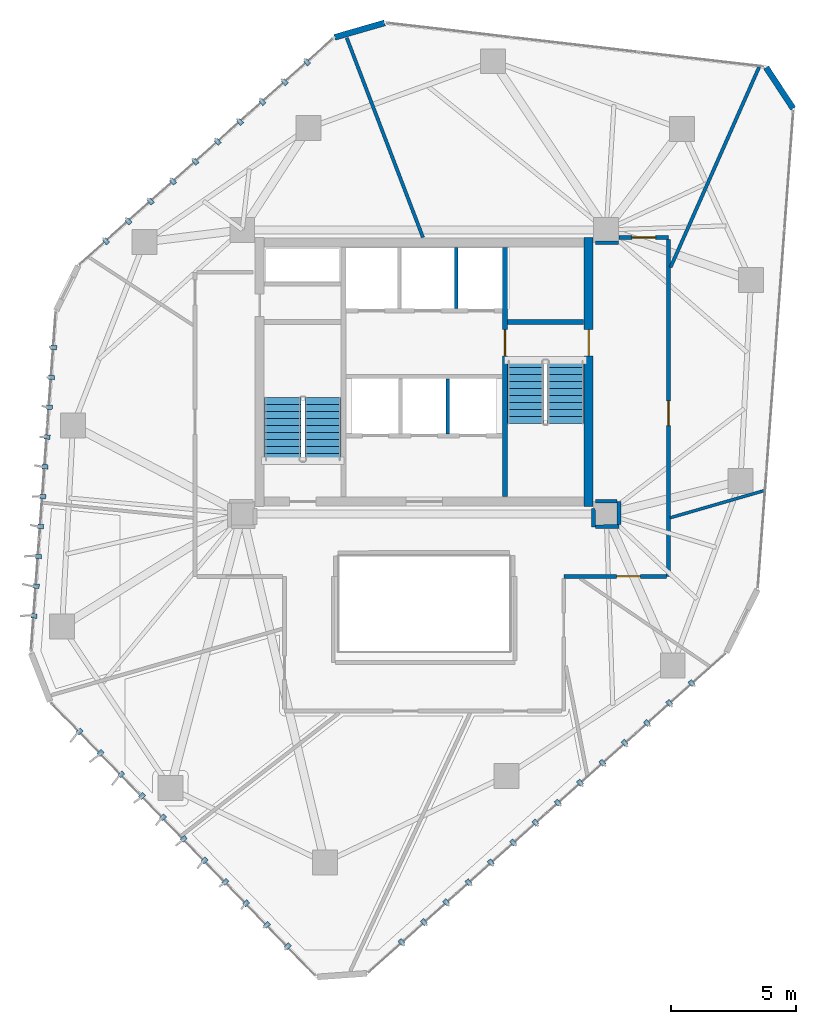
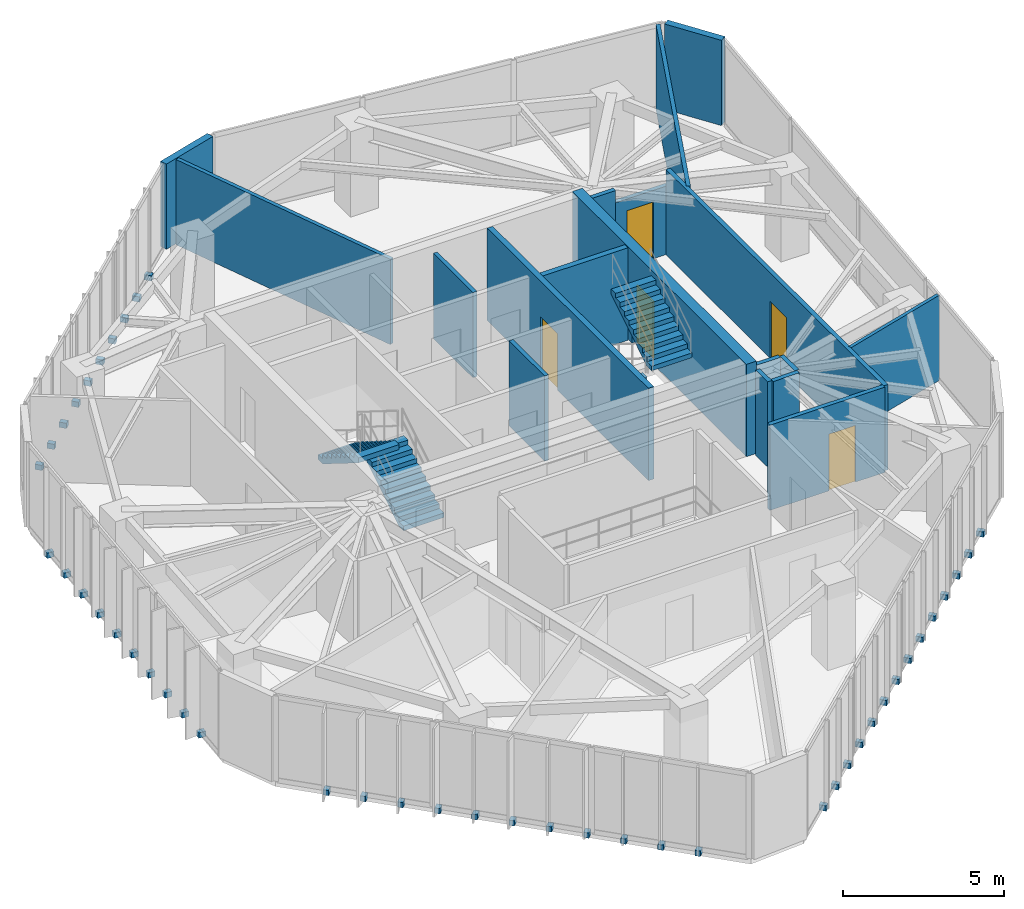
# One storey, part 17 of 19: 45 discrete accessories, 18 walls, 5 doors, 4 stair flights, 5 openings, 2 elements without a shape of their own.
"""IFC4 building model written with IfcOpenShell, lengths in metres."""

from ifc_helpers import new_model, si_unit, direction, frame, frame_2d, origin, origin_2d, place, context, subcontext, project, spatial, polyline, rectangle, outline, extrude, source, transform, mapped, material, layer, layer_set, type_object, type_shapes, element, fill, aggregate, save


model = new_model("IFC4")

# Units and contexts
model_context = context("Model", 3, precision=1e-05, world=origin(), true_north=direction((0.0, 1.0)))
body_context = subcontext(model_context, "Body", "Model", "MODEL_VIEW")
ifc_project = project(units=[si_unit("LENGTHUNIT", "METRE"), si_unit("AREAUNIT", "SQUARE_METRE"), si_unit("VOLUMEUNIT", "CUBIC_METRE"), si_unit("PLANEANGLEUNIT", "RADIAN"), si_unit("MASSUNIT", "GRAM", prefix="KILO")], contexts=[model_context])

# Site, building, storey
site_placement = place(None, origin())
site = spatial("IfcSite", under=ifc_project, at=site_placement, CompositionType="ELEMENT")
building_placement = place(site_placement, origin())
building = spatial("IfcBuilding", under=site, at=building_placement, Name="Talar Marvaseh", CompositionType="ELEMENT")
storey_placement = place(building_placement, frame((0.0, 0.0, 222.199951171875)))
storey = spatial("IfcBuildingStorey", under=building, at=storey_placement, Name="L58", CompositionType="ELEMENT", Elevation=222.199951171875)

# Walls
ifc_material_1 = material(Name="Precast concrete C45/55", Category="concrete")
ifc_layer_1 = layer(ifc_material_1, 0.239990234375)
ifc_layer_set_1 = layer_set([ifc_layer_1], Name="Precast concrete C45/55")
wall_type_1 = type_object("IfcWallType", Name="Chamfered Hexagonal Corner Pier Wall Z3 240", PredefinedType="SOLIDWALL", material=ifc_layer_set_1)
wall_1_placement = place(storey_placement, frame((22.407958984375, 44.62646484375, 0.0), z_axis=(0.0, 0.0, 1.0), x_axis=(0.960654593634, 0.277745840165, 0.0)))
element("IfcWall", 1, at=wall_1_placement, inside=storey, type_object=wall_type_1, Name="L58 Chamfered Corner Limestone Pier 4", PredefinedType="SOLIDWALL", context=body_context, shape_type="SweptSolid", body=[
    extrude(rectangle(XDim=2.088623046875, YDim=0.239990234375, at=frame_2d((1.04443359375, 0.0))), origin(), (0.0, 0.0, 1.0), 3.22998046875),
])
wall_2_placement = place(storey_placement, frame((39.718505859375, 43.419921875, 0.0), z_axis=(0.0, 0.0, 1.0), x_axis=(0.549419249046, -0.835546820219, 0.0)))
element("IfcWall", 2, at=wall_2_placement, inside=storey, type_object=wall_type_1, Name="L58 Chamfered Corner Limestone Pier 5", PredefinedType="SOLIDWALL", context=body_context, shape_type="SweptSolid", body=[
    extrude(rectangle(XDim=1.977783203125, YDim=0.239990234375, at=frame_2d((0.98876953125, 0.0))), origin(), (0.0, 0.0, 1.0), 3.22998046875),
])

# Wall, opening, door
ifc_material_2 = material(Name="Gypsum Board Partition Assembly")
ifc_layer_2 = layer(ifc_material_2, 0.155029296875)
ifc_layer_set_2 = layer_set([ifc_layer_2], Name="Gypsum Board Partition Assembly")
wall_type_2 = type_object("IfcWallType", Name="Corridor Fire-Rated Acoustic Partition 155", PredefinedType="PARTITIONING", material=ifc_layer_set_2)
wall_3_placement = place(storey_placement, frame((33.81494140625, 36.60009765625, 0.0), z_axis=(0.0, 0.0, 1.0), x_axis=(1.0, 0.0, 0.0)))
wall_3 = element("IfcWall", 3, at=wall_3_placement, inside=storey, type_object=wall_type_2, Name="L58 Interior Partition Wall", PredefinedType="PARTITIONING", context=body_context, shape_type="SweptSolid", body=[
    extrude(rectangle(XDim=1.985107421875, YDim=0.155029296875, at=frame_2d((0.99267578125, 0.0))), origin(), (0.0, 0.0, 1.0), 2.589111328125),
])
opening_1_placement = place(wall_3_placement, frame((0.517578125, 0.0, 0.0)))
opening_1 = element("IfcOpeningElement", 4, at=opening_1_placement, cuts=wall_3, Name="Opening DR-WC095", PredefinedType="OPENING", context=body_context, shape_type="SweptSolid", body=[
    extrude(rectangle(XDim=0.949951171875, YDim=2.14990234375, at=frame_2d((0.47509765625, 1.074951171875))), frame((0.0, 0.08740234375, 0.0), z_axis=(0.0, -1.0, 0.0), x_axis=(1.0, 0.0, 0.0)), (0.0, 0.0, 1.0), 0.175048828125),
])
ifc_material_3 = material(Name="Acoustic Engineered Oak Timber", Category="wood")
door_type_1 = type_object("IfcDoorType", Name="Washroom and Service Room Door 950x2150", OperationType="NOTDEFINED", PredefinedType="DOOR", material=ifc_material_3)
shared_shape_1 = source(origin(), body_context, "Body", "SweptSolid", [
    extrude(rectangle(XDim=0.949951171875, YDim=2.14990234375, at=frame_2d((0.47509765625, 1.074951171875))), frame((0.0, 0.02490234375, 0.0), z_axis=(0.0, -1.0, 0.0), x_axis=(1.0, 0.0, 0.0)), (0.0, 0.0, 1.0), 0.050048828125),
])
type_shapes(door_type_1, [shared_shape_1])
door_1_placement = place(opening_1_placement, origin())
door_1 = element("IfcDoor", 5, at=door_1_placement, inside=storey, type_object=door_type_1, Name="L58 Manuscript Folio Archive Room Door", OperationType="SINGLE_SWING_RIGHT", OverallHeight=2.14990234375, OverallWidth=0.949951171875, PredefinedType="DOOR", context=body_context, shape_type="MappedRepresentation", body=[
    mapped(shared_shape_1, transform((0.0, 0.0, 0.0), x_axis=(1.0, 0.0, 0.0), y_axis=(0.0, 1.0, 0.0), z_axis=(0.0, 0.0, 1.0), scale=1.0)),
])
fill(opening_1, door_1)

wall_4_placement = place(storey_placement, frame((35.800048828125, 36.5166015625, 0.0), z_axis=(0.0, 0.0, 1.0), x_axis=(0.0, -1.0, 0.0)))
wall_4 = element("IfcWall", 6, at=wall_4_placement, inside=storey, type_object=wall_type_2, Name="L58 Interior Partition Wall", PredefinedType="PARTITIONING", context=body_context, shape_type="SweptSolid", body=[
    extrude(rectangle(XDim=13.5166015625, YDim=0.155029296875, at=frame_2d((6.75830078125, 0.0))), origin(), (0.0, 0.0, 1.0), 3.22998046875),
])
opening_2_placement = place(wall_4_placement, frame((6.4716796875, 0.0, 0.0)))
opening_2 = element("IfcOpeningElement", 7, at=opening_2_placement, cuts=wall_4, Name="Opening DR-RM100", PredefinedType="OPENING", context=body_context, shape_type="SweptSolid", body=[
    extrude(rectangle(XDim=1.0, YDim=2.14990234375, at=frame_2d((0.5, 1.074951171875))), frame((0.0, 0.08740234375, 0.0), z_axis=(0.0, -1.0, 0.0), x_axis=(1.0, 0.0, 0.0)), (0.0, 0.0, 1.0), 0.175048828125),
])
door_type_2 = type_object("IfcDoorType", Name="Corridor Fire-Rated Gallery Door 1000x2150", OperationType="NOTDEFINED", PredefinedType="DOOR", material=ifc_material_3)
shared_shape_2 = source(origin(), body_context, "Body", "SweptSolid", [
    extrude(rectangle(XDim=1.0, YDim=2.14990234375, at=frame_2d((0.5, 1.074951171875))), frame((0.0, 0.02490234375, 0.0), z_axis=(0.0, -1.0, 0.0), x_axis=(1.0, 0.0, 0.0)), (0.0, 0.0, 1.0), 0.050048828125),
])
type_shapes(door_type_2, [shared_shape_2])
door_2_placement = place(opening_2_placement, origin())
door_2 = element("IfcDoor", 8, at=door_2_placement, inside=storey, type_object=door_type_2, Name="L58 Scholars' Registration Reception Door", OperationType="SINGLE_SWING_LEFT", OverallHeight=2.14990234375, OverallWidth=1.0, PredefinedType="DOOR", context=body_context, shape_type="MappedRepresentation", body=[
    mapped(shared_shape_2, transform((0.0, 0.0, 0.0), x_axis=(1.0, 0.0, 0.0), y_axis=(0.0, 1.0, 0.0), z_axis=(0.0, 0.0, 1.0), scale=1.0)),
])
fill(opening_2, door_2)

wall_5_placement = place(storey_placement, frame((35.716552734375, 23.0, 0.0), z_axis=(0.0, 0.0, 1.0), x_axis=(-1.0, 0.0, 0.0)))
wall_5 = element("IfcWall", 9, at=wall_5_placement, inside=storey, type_object=wall_type_2, Name="L58 Interior Partition Wall", PredefinedType="PARTITIONING", context=body_context, shape_type="SweptSolid", body=[
    extrude(rectangle(XDim=4.116455078125, YDim=0.155029296875, at=frame_2d((2.05810546875, 0.0))), origin(), (0.0, 0.0, 1.0), 3.22998046875),
])
opening_3_placement = place(wall_5_placement, frame((1.04296875, 0.0, 0.0)))
opening_3 = element("IfcOpeningElement", 10, at=opening_3_placement, cuts=wall_5, Name="Opening DR-WC095", PredefinedType="OPENING", context=body_context, shape_type="SweptSolid", body=[
    extrude(rectangle(XDim=0.949951171875, YDim=2.14990234375, at=frame_2d((0.47509765625, 1.074951171875))), frame((0.0, 0.08740234375, 0.0), z_axis=(0.0, -1.0, 0.0), x_axis=(1.0, 0.0, 0.0)), (0.0, 0.0, 1.0), 0.175048828125),
])
door_3_placement = place(opening_3_placement, origin())
door_3 = element("IfcDoor", 11, at=door_3_placement, inside=storey, type_object=door_type_1, Name="L58 Accessible WC Door", OperationType="SINGLE_SWING_RIGHT", OverallHeight=2.14990234375, OverallWidth=0.949951171875, PredefinedType="DOOR", context=body_context, shape_type="MappedRepresentation", body=[
    mapped(shared_shape_1, transform((0.0, 0.0, 0.0), x_axis=(1.0, 0.0, 0.0), y_axis=(0.0, 1.0, 0.0), z_axis=(0.0, 0.0, 1.0), scale=1.0)),
])
fill(opening_3, door_3)

# Walls
wall_6_placement = place(storey_placement, frame((32.784912109375, 25.72998046875, 0.0), z_axis=(0.0, 0.0, 1.0), x_axis=(0.007570553288, -0.999971342951, 0.0)))
element("IfcWall", 12, at=wall_6_placement, inside=storey, type_object=wall_type_2, Name="L58 Interior Partition Wall", PredefinedType="PARTITIONING", context=body_context, shape_type="SweptSolid", body=[
    extrude(rectangle(XDim=0.74169921875, YDim=0.155029296875, at=frame_2d((0.370849609375, 0.0))), origin(), (0.0, 0.0, 1.0), 3.22998046875),
])
wall_7_placement = place(storey_placement, frame((32.8740234375, 24.9892578125, 0.0), z_axis=(0.0, 0.0, 1.0), x_axis=(0.999934835738, 0.01141596595, 0.0)))
element("IfcWall", 13, at=wall_7_placement, inside=storey, type_object=wall_type_2, Name="L58 Interior Partition Wall", PredefinedType="PARTITIONING", context=body_context, shape_type="SweptSolid", body=[
    extrude(rectangle(XDim=0.94091796875, YDim=0.155029296875, at=frame_2d((0.470458984375, 0.0))), origin(), (0.0, 0.0, 1.0), 3.22998046875),
])
wall_8_placement = place(storey_placement, frame((33.814697265625, 25.08349609375, 0.0), z_axis=(0.0, 0.0, 1.0), x_axis=(-0.004477173984, 0.999989977406, 0.0)))
element("IfcWall", 14, at=wall_8_placement, inside=storey, type_object=wall_type_2, Name="L58 Interior Partition Wall", PredefinedType="PARTITIONING", context=body_context, shape_type="SweptSolid", body=[
    extrude(rectangle(XDim=0.927001953125, YDim=0.155029296875, at=frame_2d((0.46337890625, 0.0))), origin(), (0.0, 0.0, 1.0), 3.22998046875),
])
wall_9_placement = place(storey_placement, frame((33.72705078125, 26.010986328125, 0.0), z_axis=(0.0, 0.0, 1.0), x_axis=(-0.999990868706, 0.004273465251, 0.0)))
element("IfcWall", 15, at=wall_9_placement, inside=storey, type_object=wall_type_2, Name="L58 Interior Partition Wall", PredefinedType="PARTITIONING", context=body_context, shape_type="SweptSolid", body=[
    extrude(rectangle(XDim=0.85693359375, YDim=0.155029296875, at=frame_2d((0.428466796875, 0.0))), origin(), (0.0, 0.0, 1.0), 3.22998046875),
])
wall_10_placement = place(storey_placement, frame((32.8701171875, 36.385009765625, 0.0), z_axis=(0.0, 0.0, 1.0), x_axis=(0.999999965754, 0.000261711585, 0.0)))
element("IfcWall", 16, at=wall_10_placement, inside=storey, type_object=wall_type_2, Name="L58 Interior Partition Wall", PredefinedType="PARTITIONING", context=body_context, shape_type="SweptSolid", body=[
    extrude(rectangle(XDim=0.932861328125, YDim=0.155029296875, at=frame_2d((0.46630859375, 0.0))), origin(), (0.0, 0.0, 1.0), 3.22998046875),
])
ifc_layer_3 = layer(ifc_material_2, 0.1201171875)
ifc_layer_set_3 = layer_set([ifc_layer_3], Name="Gypsum Board Partition Assembly")
wall_type_3 = type_object("IfcWallType", Name="Demountable Studio Room Partition 120", PredefinedType="PARTITIONING", material=ifc_layer_set_3)
wall_11_placement = place(storey_placement, frame((35.8623046875, 25.34814453125, 0.0), z_axis=(0.0, 0.0, 1.0), x_axis=(0.960674213221, 0.277677971851, 0.0)))
element("IfcWall", 17, at=wall_11_placement, inside=storey, type_object=wall_type_3, Name="L58 Interior Partition Wall", PredefinedType="PARTITIONING", context=body_context, shape_type="SweptSolid", body=[
    extrude(rectangle(XDim=3.946044921875, YDim=0.1201171875, at=frame_2d((1.97314453125, 0.0))), origin(), (0.0, 0.0, 1.0), 3.22998046875),
])
ifc_layer_4 = layer(ifc_material_1, 0.14501953125)
ifc_layer_set_4 = layer_set([ifc_layer_4], Name="Precast concrete C45/55")
wall_type_4 = type_object("IfcWallType", Name="Fire-Rated Lift Divider Wall 145", PredefinedType="SOLIDWALL", material=ifc_layer_set_4)
wall_12_placement = place(storey_placement, frame((27.280029296875, 33.743408203125, 0.0), z_axis=(0.0, 0.0, 1.0), x_axis=(0.0, 1.0, 0.0)))
element("IfcWall", 18, at=wall_12_placement, inside=storey, type_object=wall_type_4, Name="L58 FFL-2/SVL-1 Divider", PredefinedType="SOLIDWALL", context=body_context, shape_type="SweptSolid", body=[
    extrude(rectangle(XDim=2.45654296875, YDim=0.14501953125, at=frame_2d((1.228271484375, 0.0))), origin(), (0.0, 0.0, 1.0), 3.22998046875),
])
wall_13_placement = place(storey_placement, frame((26.949951171875, 28.719970703125, 0.0), z_axis=(0.0, 0.0, 1.0), x_axis=(0.0, 1.0, 0.0)))
element("IfcWall", 19, at=wall_13_placement, inside=storey, type_object=wall_type_4, Name="L58 PL-H2/PL-H3 Divider", PredefinedType="SOLIDWALL", context=body_context, shape_type="SweptSolid", body=[
    extrude(rectangle(XDim=2.20654296875, YDim=0.14501953125, at=frame_2d((1.103271484375, 0.0))), origin(), (0.0, 0.0, 1.0), 3.22998046875),
])
ifc_layer_5 = layer(ifc_material_2, 0.135009765625)
ifc_layer_set_5 = layer_set([ifc_layer_5], Name="Gypsum Board Partition Assembly")
wall_type_5 = type_object("IfcWallType", Name="Gallery High-Acoustic Partition 135", PredefinedType="PARTITIONING", material=ifc_layer_set_5)
wall_14_placement = place(storey_placement, frame((35.883544921875, 35.398681640625, 0.0), z_axis=(0.0, 0.0, 1.0), x_axis=(0.404550175341, 0.914515803927, 0.0)))
element("IfcWall", 20, at=wall_14_placement, inside=storey, type_object=wall_type_5, Name="L58 Interior Partition Wall", PredefinedType="PARTITIONING", context=body_context, shape_type="SweptSolid", body=[
    extrude(rectangle(XDim=8.802978515625, YDim=0.135009765625, at=frame_2d((4.4013671875, 0.0))), origin(), (0.0, 0.0, 1.0), 3.22998046875),
])
wall_15_placement = place(storey_placement, frame((25.949951171875, 36.60009765625, 0.0), z_axis=(0.0, 0.0, 1.0), x_axis=(-0.3567806805, 0.934188174846, 0.0)))
element("IfcWall", 21, at=wall_15_placement, inside=storey, type_object=wall_type_5, Name="L58 Interior Partition Wall", PredefinedType="PARTITIONING", context=body_context, shape_type="SweptSolid", body=[
    extrude(rectangle(XDim=8.5693359375, YDim=0.135009765625, at=frame_2d((4.28466796875, 0.0))), origin(), (0.0, 0.0, 1.0), 3.22998046875),
])

# Wall, opening, door
ifc_material_4 = material(Name="Concrete C50/60", Category="concrete")
ifc_layer_6 = layer(ifc_material_4, 0.199951171875)
ifc_layer_set_6 = layer_set([ifc_layer_6], Name="Concrete C50/60")
wall_type_6 = type_object("IfcWallType", Name="Stair Shaft Structural Concrete Shear Wall 200", PredefinedType="SHEAR", material=ifc_layer_set_6)
wall_16_placement = place(storey_placement, frame((29.239990234375, 26.199951171875, 0.0), z_axis=(0.0, 0.0, 1.0), x_axis=(0.0, 1.0, 0.0)))
wall_16 = element("IfcWall", 22, at=wall_16_placement, inside=storey, type_object=wall_type_6, Name="L58 Core East Stair Shear Wall", PredefinedType="SHEAR", context=body_context, shape_type="SweptSolid", body=[
    extrude(rectangle(XDim=10.0, YDim=0.199951171875, at=frame_2d((5.0, 0.0))), origin(), (0.0, 0.0, 1.0), 3.5),
])
opening_4_placement = place(wall_16_placement, frame((5.64990234375, 0.0, 0.0)))
opening_4 = element("IfcOpeningElement", 23, at=opening_4_placement, cuts=wall_16, Name="Opening DR-ST105", PredefinedType="OPENING", context=body_context, shape_type="SweptSolid", body=[
    extrude(rectangle(XDim=1.050048828125, YDim=2.14990234375, at=frame_2d((0.52490234375, 1.074951171875))), frame((0.0, 0.10986328125, 0.0), z_axis=(0.0, -1.0, 0.0), x_axis=(1.0, 0.0, 0.0)), (0.0, 0.0, 1.0), 0.219970703125),
])
ifc_material_5 = material(Name="Fire-Rated Steel Door Leaf", Category="steel")
door_type_3 = type_object("IfcDoorType", Name="Protected Exit Stair Fire Door 1050x2150", OperationType="NOTDEFINED", PredefinedType="DOOR", material=ifc_material_5)
shared_shape_3 = source(origin(), body_context, "Body", "SweptSolid", [
    extrude(rectangle(XDim=1.050048828125, YDim=2.14990234375, at=frame_2d((0.52490234375, 1.074951171875))), frame((0.0, 0.02490234375, 0.0), z_axis=(0.0, -1.0, 0.0), x_axis=(1.0, 0.0, 0.0)), (0.0, 0.0, 1.0), 0.050048828125),
])
type_shapes(door_type_3, [shared_shape_3])
door_4_placement = place(opening_4_placement, origin())
door_4 = element("IfcDoor", 24, at=door_4_placement, inside=storey, type_object=door_type_3, Name="L58 Firefighting Lobby to Stair ST-2 Door", OperationType="SINGLE_SWING_LEFT", OverallHeight=2.14990234375, OverallWidth=1.050048828125, PredefinedType="DOOR", context=body_context, shape_type="MappedRepresentation", body=[
    mapped(shared_shape_3, transform((0.0, 0.0, 0.0), x_axis=(1.0, 0.0, 0.0), y_axis=(0.0, 1.0, 0.0), z_axis=(0.0, 0.0, 1.0), scale=1.0)),
])
fill(opening_4, door_4)

# Wall
wall_17_placement = place(storey_placement, frame((29.340087890625, 33.199951171875, 0.0), z_axis=(0.0, 0.0, 1.0), x_axis=(1.0, 0.0, 0.0)))
element("IfcWall", 25, at=wall_17_placement, inside=storey, type_object=wall_type_6, Name="L58 Stair ST-2 North Shear Wall", PredefinedType="SHEAR", context=body_context, shape_type="SweptSolid", body=[
    extrude(rectangle(XDim=3.059814453125, YDim=0.199951171875, at=frame_2d((1.52978515625, 0.0))), origin(), (0.0, 0.0, 1.0), 3.5),
])

# Wall, opening, door
ifc_layer_7 = layer(ifc_material_4, 0.360107421875)
ifc_layer_set_7 = layer_set([ifc_layer_7], Name="Concrete C50/60")
wall_type_7 = type_object("IfcWallType", Name="Upper Core Reinforced Concrete Shear Wall 360", PredefinedType="SHEAR", material=ifc_layer_set_7)
wall_18_placement = place(storey_placement, frame((32.60009765625, 36.60009765625, 0.0), z_axis=(0.0, 0.0, 1.0), x_axis=(0.0, -1.0, 0.0)))
wall_18 = element("IfcWall", 26, at=wall_18_placement, inside=storey, type_object=wall_type_7, Name="L58 East Core Shear Wall", PredefinedType="SHEAR", context=body_context, shape_type="SweptSolid", body=[
    extrude(rectangle(XDim=10.800048828125, YDim=0.360107421875, at=frame_2d((5.39990234375, 0.0))), origin(), (0.0, 0.0, 1.0), 3.5),
])
opening_5_placement = place(wall_18_placement, frame((3.699951171875, 0.0, 0.0)))
opening_5 = element("IfcOpeningElement", 27, at=opening_5_placement, cuts=wall_18, Name="Opening DR-ST105", PredefinedType="OPENING", context=body_context, shape_type="SweptSolid", body=[
    extrude(rectangle(XDim=1.050048828125, YDim=2.14990234375, at=frame_2d((0.52490234375, 1.074951171875))), frame((0.0, 0.18994140625, 0.0), z_axis=(0.0, -1.0, 0.0), x_axis=(1.0, 0.0, 0.0)), (0.0, 0.0, 1.0), 0.380126953125),
])
door_5_placement = place(opening_5_placement, origin())
door_5 = element("IfcDoor", 28, at=door_5_placement, inside=storey, type_object=door_type_3, Name="L58 Stair ST-2 Corridor Exit Door", OperationType="SINGLE_SWING_LEFT", OverallHeight=2.14990234375, OverallWidth=1.050048828125, PredefinedType="DOOR", context=body_context, shape_type="MappedRepresentation", body=[
    mapped(shared_shape_3, transform((0.0, 0.0, 0.0), x_axis=(1.0, 0.0, 0.0), y_axis=(0.0, 1.0, 0.0), z_axis=(0.0, 0.0, 1.0), scale=1.0)),
])
fill(opening_5, door_5)

# Stair, stair flights
ifc_material_6 = material(Name="Concrete C40/50", Category="concrete")
stair_type = type_object("IfcStairType", Name="Reinforced Concrete High-Rise Exit Stair Type C", PredefinedType="HALF_TURN_STAIR", material=ifc_material_6)
stair_1_placement = place(storey_placement, origin())
stair_1 = element("IfcStair", 29, at=stair_1_placement, inside=storey, type_object=stair_type, Name="L58 Tower West Core Exit Stair", PredefinedType="HALF_TURN_STAIR")
ifc_layer_8 = layer(ifc_material_6, 0.159912109375)
ifc_layer_set_8 = layer_set([ifc_layer_8], Name="Concrete C40/50")
stair_flight_type = type_object("IfcStairFlightType", Name="Reinforced Concrete Straight Stair Flight 160", PredefinedType="STRAIGHT", material=ifc_layer_set_8)
stair_flight_1_placement = place(storey_placement, frame((21.93505859375, 27.64990234375, 0.0), z_axis=(0.0, 0.0, 1.0), x_axis=(0.0, 1.0, 0.0)))
stair_flight_1 = element("IfcStairFlight", 30, at=stair_flight_1_placement, type_object=stair_flight_type, Name="ST-1 flight 1", NumberOfRisers=10, NumberOfTreads=9, PredefinedType="STRAIGHT", RiserHeight=0.175, TreadLength=0.28, context=body_context, shape_type="SweptSolid", body=[
    extrude(outline(polyline([(0.0, 0.0), (0.0, 0.175048828125), (0.280029296875, 0.175048828125), (0.280029296875, 0.35009765625), (0.56005859375, 0.35009765625), (0.56005859375, 0.52490234375), (0.840087890625, 0.52490234375), (0.840087890625, 0.699951171875), (1.1201171875, 0.699951171875), (1.1201171875, 0.875), (1.39990234375, 0.875), (1.39990234375, 1.050048828125), (1.679931640625, 1.050048828125), (1.679931640625, 1.22509765625), (1.9599609375, 1.22509765625), (1.9599609375, 1.39990234375), (2.239990234375, 1.39990234375), (2.239990234375, 1.574951171875), (2.52001953125, 1.574951171875), (2.52001953125, 1.75), (2.52001953125, 1.386474609375), (0.3017578125, 0.0), (0.0, 0.0)])), frame((0.0, 0.72509765625, 0.0), z_axis=(0.0, -1.0, 0.0), x_axis=(1.0, 0.0, 0.0)), (0.0, 0.0, 1.0), 1.449951171875),
])
stair_flight_2_placement = place(storey_placement, frame((20.324951171875, 30.169921875, 1.75), z_axis=(0.0, 0.0, 1.0), x_axis=(0.0, -1.0, 0.0)))
stair_flight_2 = element("IfcStairFlight", 31, at=stair_flight_2_placement, type_object=stair_flight_type, Name="ST-1 flight 2", NumberOfRisers=10, NumberOfTreads=9, PredefinedType="STRAIGHT", RiserHeight=0.175, TreadLength=0.28, context=body_context, shape_type="SweptSolid", body=[
    extrude(outline(polyline([(0.0, 0.0), (0.0, 0.175048828125), (0.280029296875, 0.175048828125), (0.280029296875, 0.35009765625), (0.56005859375, 0.35009765625), (0.56005859375, 0.52490234375), (0.840087890625, 0.52490234375), (0.840087890625, 0.699951171875), (1.1201171875, 0.699951171875), (1.1201171875, 0.875), (1.39990234375, 0.875), (1.39990234375, 1.050048828125), (1.679931640625, 1.050048828125), (1.679931640625, 1.22509765625), (1.9599609375, 1.22509765625), (1.9599609375, 1.39990234375), (2.239990234375, 1.39990234375), (2.239990234375, 1.574951171875), (2.52001953125, 1.574951171875), (2.52001953125, 1.75), (2.52001953125, 1.386474609375), (0.3017578125, 0.0), (0.0, 0.0)])), frame((0.0, 0.72509765625, 0.0), z_axis=(0.0, -1.0, 0.0), x_axis=(1.0, 0.0, 0.0)), (0.0, 0.0, 1.0), 1.449951171875),
])
aggregate(stair_1, [stair_flight_1, stair_flight_2])

stair_2_placement = place(storey_placement, origin())
stair_2 = element("IfcStair", 32, at=stair_2_placement, inside=storey, type_object=stair_type, Name="L58 Tower East Core Exit Stair", PredefinedType="HALF_TURN_STAIR")
stair_flight_3_placement = place(storey_placement, frame((30.06494140625, 31.64990234375, 0.0), z_axis=(0.0, 0.0, 1.0), x_axis=(0.0, -1.0, 0.0)))
stair_flight_3 = element("IfcStairFlight", 33, at=stair_flight_3_placement, type_object=stair_flight_type, Name="ST-2 flight 1", NumberOfRisers=10, NumberOfTreads=9, PredefinedType="STRAIGHT", RiserHeight=0.175, TreadLength=0.28, context=body_context, shape_type="SweptSolid", body=[
    extrude(outline(polyline([(0.0, 0.0), (0.0, 0.175048828125), (0.280029296875, 0.175048828125), (0.280029296875, 0.35009765625), (0.56005859375, 0.35009765625), (0.56005859375, 0.52490234375), (0.840087890625, 0.52490234375), (0.840087890625, 0.699951171875), (1.1201171875, 0.699951171875), (1.1201171875, 0.875), (1.39990234375, 0.875), (1.39990234375, 1.050048828125), (1.679931640625, 1.050048828125), (1.679931640625, 1.22509765625), (1.9599609375, 1.22509765625), (1.9599609375, 1.39990234375), (2.239990234375, 1.39990234375), (2.239990234375, 1.574951171875), (2.52001953125, 1.574951171875), (2.52001953125, 1.75), (2.52001953125, 1.386474609375), (0.3017578125, 0.0), (0.0, 0.0)])), frame((0.0, 0.72509765625, 0.0), z_axis=(0.0, -1.0, 0.0), x_axis=(1.0, 0.0, 0.0)), (0.0, 0.0, 1.0), 1.449951171875),
])
stair_flight_4_placement = place(storey_placement, frame((31.675048828125, 29.1298828125, 1.75), z_axis=(0.0, 0.0, 1.0), x_axis=(0.0, 1.0, 0.0)))
stair_flight_4 = element("IfcStairFlight", 34, at=stair_flight_4_placement, type_object=stair_flight_type, Name="ST-2 flight 2", NumberOfRisers=10, NumberOfTreads=9, PredefinedType="STRAIGHT", RiserHeight=0.175, TreadLength=0.28, context=body_context, shape_type="SweptSolid", body=[
    extrude(outline(polyline([(0.0, 0.0), (0.0, 0.175048828125), (0.280029296875, 0.175048828125), (0.280029296875, 0.35009765625), (0.56005859375, 0.35009765625), (0.56005859375, 0.52490234375), (0.840087890625, 0.52490234375), (0.840087890625, 0.699951171875), (1.1201171875, 0.699951171875), (1.1201171875, 0.875), (1.39990234375, 0.875), (1.39990234375, 1.050048828125), (1.679931640625, 1.050048828125), (1.679931640625, 1.22509765625), (1.9599609375, 1.22509765625), (1.9599609375, 1.39990234375), (2.239990234375, 1.39990234375), (2.239990234375, 1.574951171875), (2.52001953125, 1.574951171875), (2.52001953125, 1.75), (2.52001953125, 1.386474609375), (0.3017578125, 0.0), (0.0, 0.0)])), frame((0.0, 0.72509765625, 0.0), z_axis=(0.0, -1.0, 0.0), x_axis=(1.0, 0.0, 0.0)), (0.0, 0.0, 1.0), 1.449951171875),
])
aggregate(stair_2, [stair_flight_3, stair_flight_4])

# Discrete accessories
ifc_material_7 = material(Name="Stainless Steel Grade 316", Category="steel")
discrete_accessory_type = type_object("IfcDiscreteAccessoryType", Name="Stainless Slab-Edge Fin Mounting Bracket", PredefinedType="BRACKET", material=ifc_material_7)
shared_shape_4 = source(origin(), body_context, "Body", "SweptSolid", [
    extrude(rectangle(XDim=0.239990234375, YDim=0.179931640625, at=origin_2d()), origin(), (0.0, 0.0, 1.0), 0.199951171875),
])
type_shapes(discrete_accessory_type, [shared_shape_4])
for number, where, z_axis, x_axis, name in (
    (35, (20.5263671875, 8.156005859375, -0.1796875), (0.0, 0.0, 1.0), (-0.718126297763, -0.695912796592, 0.0), "L58 Vertical Fin Slab-Edge Bracket"),
    (36, (19.69140625, 9.017578125, -0.1796875), (0.0, 0.0, 1.0), (-0.718126297763, -0.695912796592, 0.0), "L58 Vertical Fin Slab-Edge Bracket"),
    (37, (18.856201171875, 9.87939453125, -0.1796875), (0.0, 0.0, 1.0), (-0.718126297763, -0.695912796592, 0.0), "L58 Vertical Fin Slab-Edge Bracket"),
    (38, (18.021240234375, 10.7412109375, -0.1796875), (0.0, 0.0, 1.0), (-0.718126297763, -0.695912796592, 0.0), "L58 Vertical Fin Slab-Edge Bracket"),
    (39, (17.186279296875, 11.60302734375, -0.1796875), (0.0, 0.0, 1.0), (-0.718126297763, -0.695912796592, 0.0), "L58 Vertical Fin Slab-Edge Bracket"),
    (40, (16.351318359375, 12.46484375, -0.1796875), (0.0, 0.0, 1.0), (-0.718126297763, -0.695912796592, 0.0), "L58 Vertical Fin Slab-Edge Bracket"),
    (41, (15.51611328125, 13.32666015625, -0.1796875), (0.0, 0.0, 1.0), (-0.718126297763, -0.695912796592, 0.0), "L58 Vertical Fin Slab-Edge Bracket"),
    (42, (14.68115234375, 14.1884765625, -0.1796875), (0.0, 0.0, 1.0), (-0.718126297763, -0.695912796592, 0.0), "L58 Vertical Fin Slab-Edge Bracket"),
    (43, (13.84619140625, 15.05029296875, -0.1796875), (0.0, 0.0, 1.0), (-0.718126297763, -0.695912796592, 0.0), "L58 Vertical Fin Slab-Edge Bracket"),
    (44, (13.010986328125, 15.912109375, -0.1796875), (0.0, 0.0, 1.0), (-0.718126297763, -0.695912796592, 0.0), "L58 Vertical Fin Slab-Edge Bracket"),
    (45, (12.176025390625, 16.77392578125, -0.1796875), (0.0, 0.0, 1.0), (-0.718126297763, -0.695912796592, 0.0), "L58 Vertical Fin Slab-Edge Bracket"),
    (46, (10.348876953125, 21.410400390625, -0.1796875), (0.0, 0.0, 1.0), (-0.997339981418, 0.072890064247, 0.0), "L58 Vertical Fin Slab-Edge Bracket"),
    (47, (10.436279296875, 22.607421875, -0.1796875), (0.0, 0.0, 1.0), (-0.997339981418, 0.072890064247, 0.0), "L58 Vertical Fin Slab-Edge Bracket"),
    (48, (10.523681640625, 23.80419921875, -0.1796875), (0.0, 0.0, 1.0), (-0.997339981418, 0.072890064247, 0.0), "L58 Vertical Fin Slab-Edge Bracket"),
    (49, (10.611328125, 25.0009765625, -0.1796875), (0.0, 0.0, 1.0), (-0.997339981418, 0.072890064247, 0.0), "L58 Vertical Fin Slab-Edge Bracket"),
    (50, (10.698974609375, 26.19775390625, -0.1796875), (0.0, 0.0, 1.0), (-0.997339981418, 0.072890064247, 0.0), "L58 Vertical Fin Slab-Edge Bracket"),
    (51, (10.786376953125, 27.39453125, -0.1796875), (0.0, 0.0, 1.0), (-0.997339981418, 0.072890064247, 0.0), "L58 Vertical Fin Slab-Edge Bracket"),
    (52, (10.873779296875, 28.59130859375, -0.1796875), (0.0, 0.0, 1.0), (-0.997339981418, 0.072890064247, 0.0), "L58 Vertical Fin Slab-Edge Bracket"),
    (53, (10.96142578125, 29.7880859375, -0.1796875), (0.0, 0.0, 1.0), (-0.997339981418, 0.072890064247, 0.0), "L58 Vertical Fin Slab-Edge Bracket"),
    (54, (11.048828125, 30.98486328125, -0.1796875), (0.0, 0.0, 1.0), (-0.997339981418, 0.072890064247, 0.0), "L58 Vertical Fin Slab-Edge Bracket"),
    (55, (11.136474609375, 32.181640625, -0.1796875), (0.0, 0.0, 1.0), (-0.997339981418, 0.072890064247, 0.0), "L58 Vertical Fin Slab-Edge Bracket"),
    (56, (13.2373046875, 36.44189453125, -0.1796875), (0.0, 0.0, 1.0), (-0.664969688239, 0.746870345992, 0.0), "L58 Vertical Fin Slab-Edge Bracket"),
    (57, (14.133544921875, 37.239990234375, -0.1796875), (0.0, 0.0, 1.0), (-0.664969688239, 0.746870345992, 0.0), "L58 Vertical Fin Slab-Edge Bracket"),
    (58, (15.02978515625, 38.0380859375, -0.1796875), (0.0, 0.0, 1.0), (-0.664969688239, 0.746870345992, 0.0), "L58 Vertical Fin Slab-Edge Bracket"),
    (59, (15.92578125, 38.8359375, -0.1796875), (0.0, 0.0, 1.0), (-0.664969688239, 0.746870345992, 0.0), "L58 Vertical Fin Slab-Edge Bracket"),
    (60, (16.822021484375, 39.634033203125, -0.1796875), (0.0, 0.0, 1.0), (-0.664969688239, 0.746870345992, 0.0), "L58 Vertical Fin Slab-Edge Bracket"),
    (61, (17.718505859375, 40.431884765625, -0.1796875), (0.0, 0.0, 1.0), (-0.664969688239, 0.746870345992, 0.0), "L58 Vertical Fin Slab-Edge Bracket"),
    (62, (18.614501953125, 41.22998046875, -0.1796875), (0.0, 0.0, 1.0), (-0.664969688239, 0.746870345992, 0.0), "L58 Vertical Fin Slab-Edge Bracket"),
    (63, (19.5107421875, 42.028076171875, -0.1796875), (0.0, 0.0, 1.0), (-0.664969688239, 0.746870345992, 0.0), "L58 Vertical Fin Slab-Edge Bracket"),
    (64, (20.406982421875, 42.825927734375, -0.1796875), (0.0, 0.0, 1.0), (-0.664969688239, 0.746870345992, 0.0), "L58 Vertical Fin Slab-Edge Bracket"),
    (65, (21.30322265625, 43.6240234375, -0.1796875), (0.0, 0.0, 1.0), (-0.664969688239, 0.746870345992, 0.0), "L58 Vertical Fin Slab-Edge Bracket"),
    (66, (36.728515625, 18.716552734375, -0.1796875), (0.0, 0.0, 1.0), (0.666011867434, -0.745941145424, 0.0), "L58 Vertical Fin Slab-Edge Bracket"),
    (67, (35.83349609375, 17.91748046875, -0.1796875), (0.0, 0.0, 1.0), (0.666011867434, -0.745941145424, 0.0), "L58 Vertical Fin Slab-Edge Bracket"),
    (68, (34.938232421875, 17.1181640625, -0.1796875), (0.0, 0.0, 1.0), (0.666011867434, -0.745941145424, 0.0), "L58 Vertical Fin Slab-Edge Bracket"),
    (69, (34.043212890625, 16.319091796875, -0.1796875), (0.0, 0.0, 1.0), (0.666011867434, -0.745941145424, 0.0), "L58 Vertical Fin Slab-Edge Bracket"),
    (70, (33.14794921875, 15.519775390625, -0.1796875), (0.0, 0.0, 1.0), (0.666011867434, -0.745941145424, 0.0), "L58 Vertical Fin Slab-Edge Bracket"),
    (71, (32.252685546875, 14.720703125, -0.1796875), (0.0, 0.0, 1.0), (0.666011867434, -0.745941145424, 0.0), "L58 Vertical Fin Slab-Edge Bracket"),
    (72, (31.357666015625, 13.92138671875, -0.1796875), (0.0, 0.0, 1.0), (0.666011867434, -0.745941145424, 0.0), "L58 Vertical Fin Slab-Edge Bracket"),
    (73, (30.46240234375, 13.122314453125, -0.1796875), (0.0, 0.0, 1.0), (0.666011867434, -0.745941145424, 0.0), "L58 Vertical Fin Slab-Edge Bracket"),
    (74, (29.5673828125, 12.322998046875, -0.1796875), (0.0, 0.0, 1.0), (0.666011867434, -0.745941145424, 0.0), "L58 Vertical Fin Slab-Edge Bracket"),
    (75, (28.672119140625, 11.523681640625, -0.1796875), (0.0, 0.0, 1.0), (0.666011867434, -0.745941145424, 0.0), "L58 Vertical Fin Slab-Edge Bracket"),
    (76, (27.777099609375, 10.724609375, -0.1796875), (0.0, 0.0, 1.0), (0.666011867434, -0.745941145424, 0.0), "L58 Vertical Fin Slab-Edge Bracket"),
    (77, (26.8818359375, 9.92529296875, -0.1796875), (0.0, 0.0, 1.0), (0.666011867434, -0.745941145424, 0.0), "L58 Vertical Fin Slab-Edge Bracket"),
    (78, (25.98681640625, 9.126220703125, -0.1796875), (0.0, 0.0, 1.0), (0.666011867434, -0.745941145424, 0.0), "L58 Vertical Fin Slab-Edge Bracket"),
    (79, (25.091796875, 8.326904296875, -0.1796875), (0.0, 0.0, 1.0), (0.666011867434, -0.745941145424, 0.0), "L58 Vertical Fin Slab-Edge Bracket"),
):
    element("IfcDiscreteAccessory", number, at=place(storey_placement, frame(where, z_axis=z_axis, x_axis=x_axis)), inside=storey, type_object=discrete_accessory_type, Name=name, PredefinedType="BRACKET", context=body_context, shape_type="MappedRepresentation", body=[
        mapped(shared_shape_4, transform((0.0, 0.0, 0.0), x_axis=(1.0, 0.0, 0.0), y_axis=(0.0, 1.0, 0.0), z_axis=(0.0, 0.0, 1.0), scale=1.0)),
    ])

save(model, "model.ifc")
